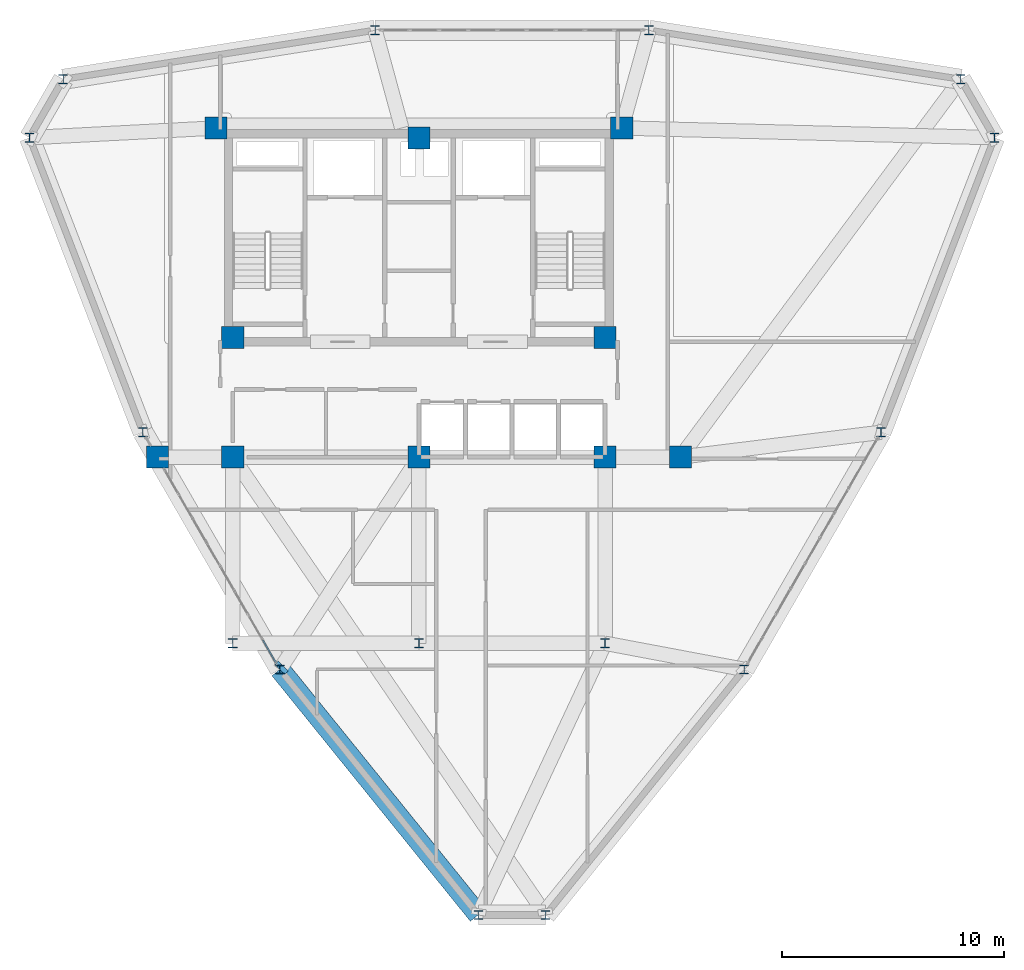
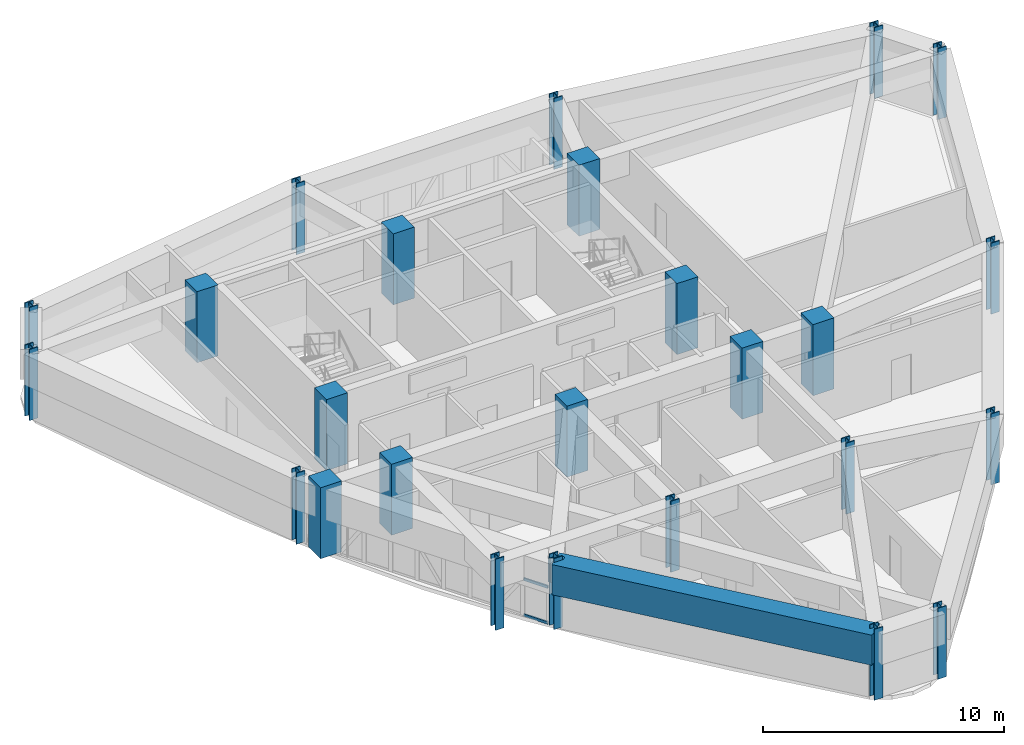
# One storey, part 1 of 16: 25 columns, 2 beams, 2 members, 1 element without a shape of its own.
"""IFC4 building model written with IfcOpenShell, lengths in metres."""

from ifc_helpers import new_model, si_unit, derived_unit, direction, frame, origin, origin_2d, place, context, subcontext, project, spatial, rectangle, hollow_rectangle, i_section, extrude, source, transform, mapped, material, layer, layer_set, material_profile, profile_set, type_object, element, aggregate, save


model = new_model("IFC4")

# Units and contexts
model_context = context("Model", 3, precision=1e-05, world=origin(), true_north=direction((0.0, 1.0)))
body_context = subcontext(model_context, "Body", "Model", "MODEL_VIEW")
ifc_project = project(units=[si_unit("LENGTHUNIT", "METRE"), si_unit("AREAUNIT", "SQUARE_METRE"), si_unit("VOLUMEUNIT", "CUBIC_METRE"), si_unit("PLANEANGLEUNIT", "RADIAN"), si_unit("MASSUNIT", "GRAM", prefix="KILO"), derived_unit("THERMALTRANSMITTANCEUNIT", [(si_unit("POWERUNIT", "WATT"), 1), (si_unit("LENGTHUNIT", "METRE"), -2), (si_unit("THERMODYNAMICTEMPERATUREUNIT", "KELVIN"), -1)])], contexts=[model_context])

# Site, building, storey
site_placement = place(None, origin())
site = spatial("IfcSite", under=ifc_project, at=site_placement, CompositionType="ELEMENT")
building_placement = place(site_placement, origin())
building = spatial("IfcBuilding", under=site, at=building_placement, Name="Korsvarv Bourse and Concert Hall", CompositionType="ELEMENT")
storey_placement = place(building_placement, frame((0.0, 0.0, 213.0)))
storey = spatial("IfcBuildingStorey", under=building, at=storey_placement, Name="L55", CompositionType="ELEMENT", Elevation=213.0)

# Columns
ifc_material_1 = material(Name="Steel S355", Category="steel")
ifc_material_profile_1 = material_profile(ifc_material_1, i_section(OverallWidth=0.412109375, OverallDepth=0.43505859375, WebThickness=0.032958984375, FlangeThickness=0.052978515625, FilletRadius=0.014892578125, at=origin_2d()), Name="HD 400x463")
ifc_profile_set_1 = profile_set([ifc_material_profile_1], Name="Steel S355")
column_type_1 = type_object("IfcColumnType", Name="COL-HD463", PredefinedType="COLUMN", material=ifc_profile_set_1)
shared_shape_1 = source(origin(), body_context, "Body", "SweptSolid", [
    extrude(i_section(OverallWidth=0.412109375, OverallDepth=0.43505859375, WebThickness=0.032958984375, FlangeThickness=0.052978515625, FilletRadius=0.014892578125, at=origin_2d()), origin(), (0.0, 0.0, 1.0), 3.60009765625),
])
for number, where, z_axis, x_axis, name in (
    (1, (27.60009765625, 24.0, 0.0), (0.0, 0.0, 1.0), (1.0, 0.0, 0.0), "L55 column C-09"),
    (2, (44.39990234375, 24.0, 0.0), (0.0, 0.0, 1.0), (1.0, 0.0, 0.0), "L55 column C-09"),
    (3, (36.0, 24.0, 0.0), (0.0, 0.0, 1.0), (1.0, 0.0, 0.0), "L55 column C-09"),
):
    element("IfcColumn", number, at=place(storey_placement, frame(where, z_axis=z_axis, x_axis=x_axis)), inside=storey, type_object=column_type_1, Name=name, PredefinedType="COLUMN", context=body_context, shape_type="MappedRepresentation", body=[
        mapped(shared_shape_1, transform((0.0, 0.0, 0.0), scale=1.0)),
    ])
ifc_material_2 = material(Name="Concrete C55/67", Category="concrete")
ifc_material_profile_2 = material_profile(ifc_material_2, rectangle(XDim=1.0, YDim=1.0, at=origin_2d()), Name="RC 1000x1000")
ifc_profile_set_2 = profile_set([ifc_material_profile_2], Name="Concrete C55/67")
column_type_2 = type_object("IfcColumnType", Name="COL-RC1000", PredefinedType="COLUMN", material=ifc_profile_set_2)
shared_shape_2 = source(origin(), body_context, "Body", "SweptSolid", [
    extrude(rectangle(XDim=1.0, YDim=1.0, at=origin_2d()), origin(), (0.0, 0.0, 1.0), 3.60009765625),
])
for number, where, z_axis, x_axis, name in (
    (4, (26.85009765625, 47.25, 0.0), (0.0, 0.0, 1.0), (1.0, 0.0, 0.0), "L55 column C-03"),
    (5, (45.14990234375, 47.25, 0.0), (0.0, 0.0, 1.0), (1.0, 0.0, 0.0), "L55 column C-03"),
    (6, (27.60009765625, 37.800048828125, 0.0), (0.0, 0.0, 1.0), (1.0, 0.0, 0.0), "L55 column C-03"),
    (7, (44.39990234375, 37.800048828125, 0.0), (0.0, 0.0, 1.0), (1.0, 0.0, 0.0), "L55 column C-03"),
    (8, (27.60009765625, 32.39990234375, 0.0), (0.0, 0.0, 1.0), (1.0, 0.0, 0.0), "L55 column C-03"),
    (9, (44.39990234375, 32.39990234375, 0.0), (0.0, 0.0, 1.0), (1.0, 0.0, 0.0), "L55 column C-03"),
    (10, (36.0, 46.800048828125, 0.0), (0.0, 0.0, 1.0), (1.0, 0.0, 0.0), "L55 column C-03"),
    (11, (36.0, 32.39990234375, 0.0), (0.0, 0.0, 1.0), (1.0, 0.0, 0.0), "L55 column C-03"),
    (12, (24.199951171875, 32.39990234375, 0.0), (0.0, 0.0, 1.0), (1.0, 0.0, 0.0), "L55 column C-03"),
    (13, (47.800048828125, 32.39990234375, 0.0), (0.0, 0.0, 1.0), (1.0, 0.0, 0.0), "L55 column C-03"),
):
    element("IfcColumn", number, at=place(storey_placement, frame(where, z_axis=z_axis, x_axis=x_axis)), inside=storey, type_object=column_type_2, Name=name, PredefinedType="COLUMN", context=body_context, shape_type="MappedRepresentation", body=[
        mapped(shared_shape_2, transform((0.0, 0.0, 0.0), scale=1.0)),
    ])
ifc_material_profile_3 = material_profile(ifc_material_1, i_section(OverallWidth=0.406005859375, OverallDepth=0.416015625, WebThickness=0.027099609375, FlangeThickness=0.0439453125, FilletRadius=0.014892578125, at=origin_2d()), Name="HD 400x382")
ifc_profile_set_3 = profile_set([ifc_material_profile_3], Name="Steel S355")
column_type_3 = type_object("IfcColumnType", Name="COL-HD382", PredefinedType="COLUMN", material=ifc_profile_set_3)
shared_shape_3 = source(origin(), body_context, "Body", "SweptSolid", [
    extrude(i_section(OverallWidth=0.406005859375, OverallDepth=0.416015625, WebThickness=0.027099609375, FlangeThickness=0.0439453125, FilletRadius=0.014892578125, at=origin_2d()), origin(), (0.0, 0.0, 1.0), 3.60009765625),
])
for number, where, z_axis, x_axis, name in (
    (14, (61.97021484375, 46.811279296875, 0.0), (0.0, 0.0, 1.0), (1.0, 0.0, 0.0), "L55 column C-10"),
    (15, (60.447998046875, 49.44775390625, 0.0), (0.0, 0.0, 1.0), (1.0, 0.0, 0.0), "L55 column C-10"),
    (16, (46.376708984375, 51.66162109375, 0.0), (0.0, 0.0, 1.0), (1.0, 0.0, 0.0), "L55 column C-10"),
    (17, (34.023193359375, 51.66162109375, 0.0), (0.0, 0.0, 1.0), (1.0, 0.0, 0.0), "L55 column C-10"),
    (18, (19.951904296875, 49.44775390625, 0.0), (0.0, 0.0, 1.0), (1.0, 0.0, 0.0), "L55 column C-10"),
    (19, (18.429931640625, 46.811279296875, 0.0), (0.0, 0.0, 1.0), (1.0, 0.0, 0.0), "L55 column C-10"),
    (20, (23.548095703125, 33.518310546875, 0.0), (0.0, 0.0, 1.0), (1.0, 0.0, 0.0), "L55 column C-10"),
    (21, (29.724853515625, 22.820068359375, 0.0), (0.0, 0.0, 1.0), (1.0, 0.0, 0.0), "L55 column C-10"),
    (22, (38.677978515625, 11.74072265625, 0.0), (0.0, 0.0, 1.0), (1.0, 0.0, 0.0), "L55 column C-10"),
    (23, (41.72216796875, 11.74072265625, 0.0), (0.0, 0.0, 1.0), (1.0, 0.0, 0.0), "L55 column C-10"),
    (24, (50.675048828125, 22.820068359375, 0.0), (0.0, 0.0, 1.0), (1.0, 0.0, 0.0), "L55 column C-10"),
    (25, (56.851806640625, 33.518310546875, 0.0), (0.0, 0.0, 1.0), (1.0, 0.0, 0.0), "L55 column C-10"),
):
    element("IfcColumn", number, at=place(storey_placement, frame(where, z_axis=z_axis, x_axis=x_axis)), inside=storey, type_object=column_type_3, Name=name, PredefinedType="COLUMN", context=body_context, shape_type="MappedRepresentation", body=[
        mapped(shared_shape_3, transform((0.0, 0.0, 0.0), scale=1.0)),
    ])

# Beams
ifc_material_3 = material(Name="Concrete C50/60", Category="concrete")
ifc_material_profile_4 = material_profile(ifc_material_3, rectangle(XDim=0.919921875, YDim=1.530029296875, at=origin_2d()), Name="RC-BM 920x1530")
ifc_profile_set_4 = profile_set([ifc_material_profile_4], Name="Concrete C50/60")
beam_type_1 = type_object("IfcBeamType", Name="BM-TR-154", PredefinedType="BEAM", material=ifc_profile_set_4)
shared_shape_4 = source(origin(), body_context, "Body", "SweptSolid", [
    extrude(rectangle(XDim=0.919921875, YDim=1.530029296875, at=origin_2d()), origin(), (0.0, 0.0, 1.0), 14.24462890625),
])
beam_1_placement = place(storey_placement, frame((29.724853515625, 22.820068359375, 2.64501953125), z_axis=(0.628524989735, -0.777789391338, 0.0), x_axis=(0.777789391338, 0.628524989735, 0.0)))
element("IfcBeam", 26, at=beam_1_placement, inside=storey, type_object=beam_type_1, Name="L55 beam B-TR6", PredefinedType="BEAM", context=body_context, shape_type="MappedRepresentation", body=[
    mapped(shared_shape_4, transform((0.0, 0.0, 0.0), scale=1.0)),
])
ifc_material_profile_5 = material_profile(ifc_material_3, rectangle(XDim=0.64990234375, YDim=1.239990234375, at=origin_2d()), Name="RC-BM 650x1240")
ifc_profile_set_5 = profile_set([ifc_material_profile_5], Name="Concrete C50/60")
beam_type_2 = type_object("IfcBeamType", Name="BM-TR-SPN", PredefinedType="BEAM", material=ifc_profile_set_5)
shared_shape_5 = source(origin(), body_context, "Body", "SweptSolid", [
    extrude(rectangle(XDim=0.64990234375, YDim=1.239990234375, at=origin_2d()), origin(), (0.0, 0.0, 1.0), 0.219482421875),
])
beam_2_placement = place(storey_placement, frame((29.724853515625, 22.820068359375, 2.7900390625), z_axis=(0.704319636651, 0.709882982912, 0.0), x_axis=(-0.709882982912, 0.704319636651, 0.0)))
element("IfcBeam", 27, at=beam_2_placement, inside=storey, type_object=beam_type_2, Name="L55 beam B-TRS", PredefinedType="BEAM", context=body_context, shape_type="MappedRepresentation", body=[
    mapped(shared_shape_5, transform((0.0, 0.0, 0.0), scale=1.0)),
])

# Curtain wall, members
ifc_material_4 = material(Name="Anodised aluminium and triple low-E glazing", Category="glass")
ifc_layer = layer(ifc_material_4, 0.199951171875)
ifc_layer_set = layer_set([ifc_layer], Name="Anodised aluminium and triple low-E glazing")
curtain_wall_type = type_object("IfcCurtainWallType", Name="CW-SYS-3", PredefinedType="NOTDEFINED", material=ifc_layer_set)
curtain_wall_placement = place(storey_placement, origin())
curtain_wall = element("IfcCurtainWall", 28, at=curtain_wall_placement, inside=storey, type_object=curtain_wall_type, Name="L55 CW3 curtain wall CW-L55-F07-2", PredefinedType="NOTDEFINED")
ifc_material_5 = material(Name="Extruded aluminium EN AW-6063 T66", Category="aluminium")
ifc_material_profile_6 = material_profile(ifc_material_5, hollow_rectangle(XDim=0.06494140625, YDim=0.139892578125, WallThickness=0.00390625, at=origin_2d()), Name="ALU-T 65x140")
ifc_profile_set_6 = profile_set([ifc_material_profile_6], Name="Extruded aluminium EN AW-6063 T66")
member_type = type_object("IfcMemberType", Name="CWT-140", PredefinedType="USERDEFINED", material=ifc_profile_set_6)
shared_shape_6 = source(origin(), body_context, "Body", "SweptSolid", [
    extrude(hollow_rectangle(XDim=0.06494140625, YDim=0.139892578125, WallThickness=0.00390625, at=origin_2d()), origin(), (0.0, 0.0, 1.0), 1.1611328125),
])
member_1_placement = place(storey_placement, frame((28.96044921875, 24.144287109375, 0.032470703125), z_axis=(0.499983322773, -0.866035032172, 0.0), x_axis=(0.866035032172, 0.499983322773, 0.0)))
member_1 = element("IfcMember", 29, at=member_1_placement, type_object=member_type, Name="CW3 transom 8.1", ObjectType="TRANSOM", PredefinedType="USERDEFINED", context=body_context, shape_type="MappedRepresentation", body=[
    mapped(shared_shape_6, transform((0.0, 0.0, 0.0), scale=1.0)),
])
member_2_placement = place(storey_placement, frame((28.96044921875, 24.144287109375, 1.847412109375), z_axis=(0.499983322773, -0.866035032172, 0.0), x_axis=(0.866035032172, 0.499983322773, 0.0)))
member_2 = element("IfcMember", 30, at=member_2_placement, type_object=member_type, Name="CW3 transom 8.2", ObjectType="TRANSOM", PredefinedType="USERDEFINED", context=body_context, shape_type="MappedRepresentation", body=[
    mapped(shared_shape_6, transform((0.0, 0.0, 0.0), scale=1.0)),
])
aggregate(curtain_wall, [member_1, member_2])

save(model, "model.ifc")
